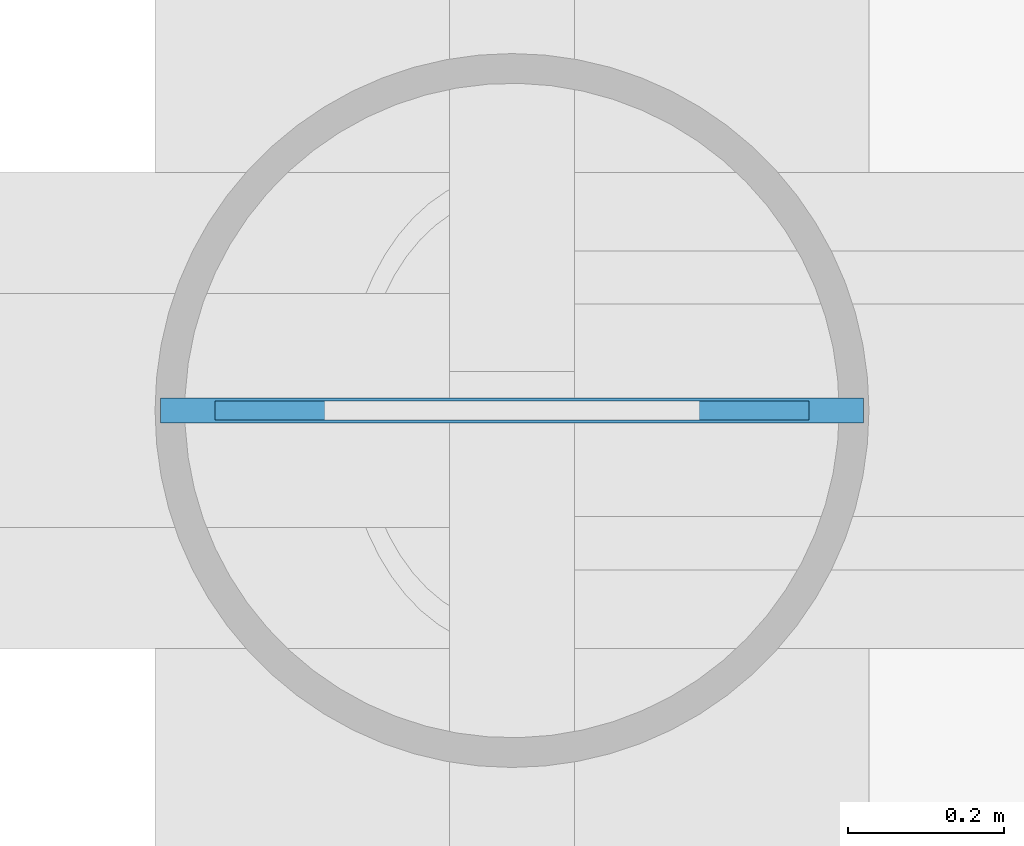
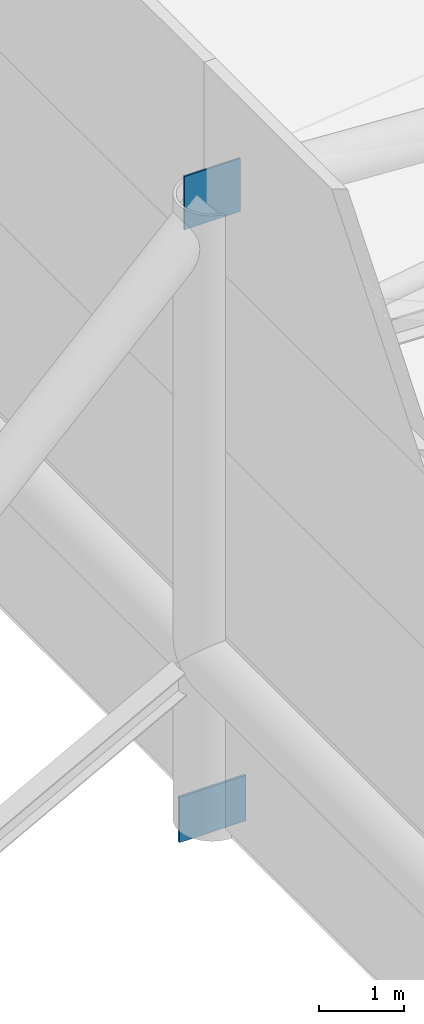
# One storey, part 28 of 36: 2 plates.
"""IFC4 building model written with IfcOpenShell, lengths in metres."""

from ifc_helpers import new_model, si_unit, direction, frame, origin, origin_2d, place, context, subcontext, project, spatial, rectangle, extrude, material, layer, layer_set, type_object, element, save


model = new_model("IFC4")

# Units and contexts
model_context = context("Model", 3, precision=1e-05, world=origin(), true_north=direction((0.0, 1.0)))
body_context = subcontext(model_context, "Body", "Model", "MODEL_VIEW")
ifc_project = project(units=[si_unit("LENGTHUNIT", "METRE"), si_unit("AREAUNIT", "SQUARE_METRE"), si_unit("VOLUMEUNIT", "CUBIC_METRE"), si_unit("PLANEANGLEUNIT", "RADIAN"), si_unit("MASSUNIT", "GRAM", prefix="KILO")], contexts=[model_context])

# Site, building, storey
site_placement = place(None, origin())
site = spatial("IfcSite", under=ifc_project, at=site_placement, CompositionType="ELEMENT")
building_placement = place(site_placement, origin())
building = spatial("IfcBuilding", under=site, at=building_placement, Name="Linyun Crest Stadium", CompositionType="ELEMENT")
storey_placement = place(building_placement, frame((0.0, 0.0, 31.60009765625)))
storey = spatial("IfcBuildingStorey", under=building, at=storey_placement, Name="RF", CompositionType="ELEMENT", Elevation=31.60009765625)

# Plates
ifc_material_1 = material(Name="Steel Q420C", Category="steel")
ifc_layer_1 = layer(ifc_material_1, 0.02392578125)
ifc_layer_set_1 = layer_set([ifc_layer_1], Name="Steel Q420C")
plate_type_1 = type_object("IfcPlateType", Name="EP02", PredefinedType="USERDEFINED", material=ifc_layer_set_1)
plate_1_placement = place(storey_placement, frame((-84.0, 15.875, 8.31982421875), z_axis=(0.0, 0.0, 1.0), x_axis=(1.0, 0.0, 0.0)))
element("IfcPlate", 1, at=plate_1_placement, inside=storey, type_object=plate_type_1, Name="Roof mast cap end plate EP02 66", ObjectType="END PLATE", PredefinedType="USERDEFINED", context=body_context, shape_type="SweptSolid", body=[
    extrude(rectangle(XDim=0.760009765625, YDim=0.02392578125, at=origin_2d()), origin(), (0.0, 0.0, 1.0), 0.760009765625),
])
ifc_material_2 = material(Name="Steel Q420C", Category="steel")
ifc_layer_2 = layer(ifc_material_2, 0.031982421875)
ifc_layer_set_2 = layer_set([ifc_layer_2], Name="Steel Q420C")
plate_type_2 = type_object("IfcPlateType", Name="NP03", PredefinedType="USERDEFINED", material=ifc_layer_set_2)
plate_2_placement = place(storey_placement, frame((-84.0, 15.875, -0.41015625), z_axis=(0.0, 0.0, 1.0), x_axis=(1.0, 0.0, 0.0)))
element("IfcPlate", 2, at=plate_2_placement, inside=storey, type_object=plate_type_2, Name="Roof mast base gusset plate NP03 67", ObjectType="GUSSET PLATE", PredefinedType="USERDEFINED", context=body_context, shape_type="SweptSolid", body=[
    extrude(rectangle(XDim=0.89990234375, YDim=0.031982421875, at=origin_2d()), origin(), (0.0, 0.0, 1.0), 0.64990234375),
])

save(model, "model.ifc")
